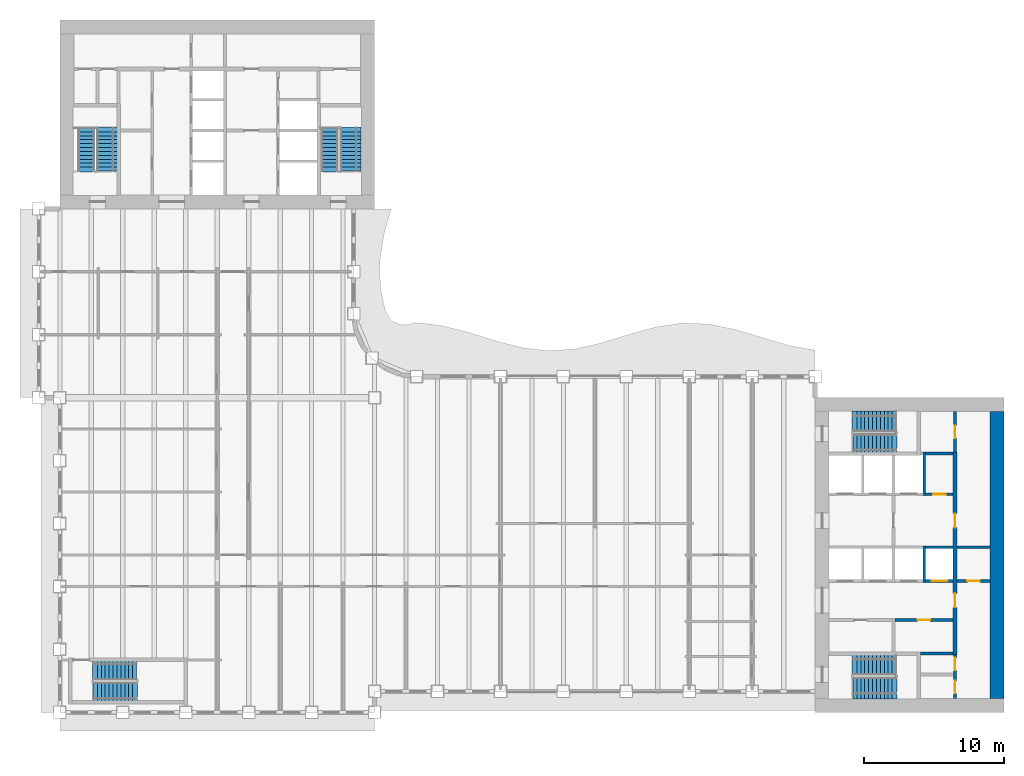
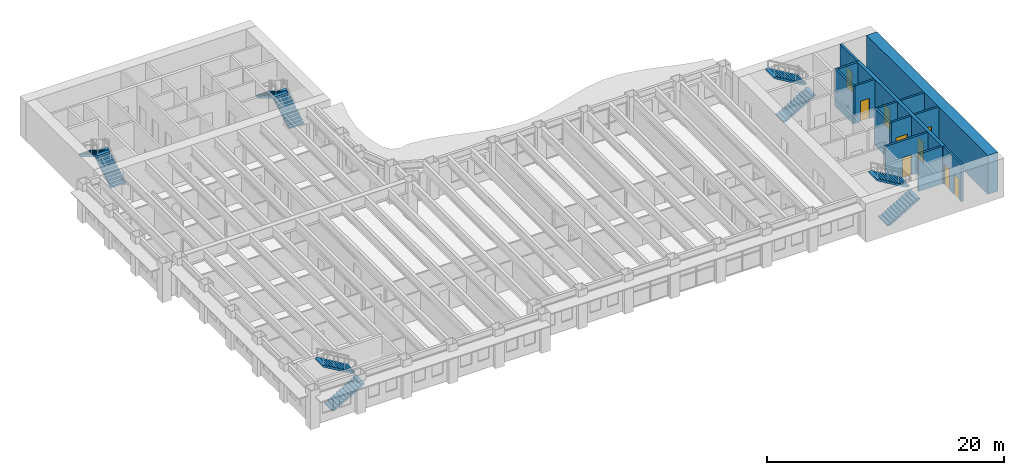
# One storey, part 11 of 17: 14 walls, 10 stair flights, 9 doors, 9 openings, 5 elements without a shape of their own.
"""IFC4 building model written with IfcOpenShell, lengths in metres."""

from ifc_helpers import new_model, si_unit, direction, frame, frame_2d, origin, place, context, subcontext, project, spatial, polyline, rectangle, outline, extrude, material, layer, layer_set, type_object, element, fill, aggregate, save


model = new_model("IFC4")

# Units and contexts
model_context = context("Model", 3, precision=1e-05, world=origin(), true_north=direction((0.0, 1.0)))
body_context = subcontext(model_context, "Body", "Model", "MODEL_VIEW")
ifc_project = project(units=[si_unit("LENGTHUNIT", "METRE"), si_unit("AREAUNIT", "SQUARE_METRE"), si_unit("VOLUMEUNIT", "CUBIC_METRE"), si_unit("PLANEANGLEUNIT", "RADIAN"), si_unit("MASSUNIT", "GRAM", prefix="KILO")], contexts=[model_context])

# Site, building, storey
site_placement = place(None, origin())
site = spatial("IfcSite", under=ifc_project, at=site_placement, CompositionType="ELEMENT")
building_placement = place(site_placement, origin())
building = spatial("IfcBuilding", under=site, at=building_placement, Name="Sennacour Bend Tower", CompositionType="ELEMENT")
storey_placement = place(building_placement, frame((0.0, 0.0, 151.0)))
storey = spatial("IfcBuildingStorey", under=building, at=storey_placement, Name="L34", CompositionType="ELEMENT", Elevation=151.0)

# Wall
ifc_material_1 = material(Name="Concrete C60/75", Category="concrete")
ifc_layer_1 = layer(ifc_material_1, 1.0, Name="Concrete C60/75", Category="concrete")
ifc_layer_set_1 = layer_set([ifc_layer_1], Name="Concrete C60/75")
wall_type_1 = type_object("IfcWallType", Name="Core wall 1000 C60/75", PredefinedType="SHEAR", material=ifc_layer_set_1)
wall_1_placement = place(storey_placement, frame((67.0, 1.0, -0.14990234375), z_axis=(0.0, 0.0, 1.0), x_axis=(0.0, 1.0, 0.0)))
element("IfcWall", 1, at=wall_1_placement, inside=storey, type_object=wall_type_1, Name="Core A wall L34 E", PredefinedType="SHEAR", context=body_context, shape_type="SweptSolid", body=[
    extrude(rectangle(XDim=20.5, YDim=1.0, at=frame_2d((10.25, 0.0))), origin(), (0.0, 0.0, 1.0), 4.0),
])

# Wall, openings, doors
ifc_material_2 = material(Name="Fire-rated plasterboard partition on steel studs", Category="steel")
ifc_layer_2 = layer(ifc_material_2, 0.199951171875, Name="Fire-rated plasterboard partition on steel studs", Category="steel")
ifc_layer_set_2 = layer_set([ifc_layer_2], Name="Fire-rated plasterboard partition on steel studs")
wall_type_2 = type_object("IfcWallType", Name="Rated partition 200", PredefinedType="PARTITIONING", material=ifc_layer_set_2)
wall_2_placement = place(storey_placement, frame((64.0, 1.0, 0.0), z_axis=(0.0, 0.0, 1.0), x_axis=(0.0, 1.0, 0.0)))
wall_2 = element("IfcWall", 2, at=wall_2_placement, inside=storey, type_object=wall_type_2, Name="P-L34-W042", PredefinedType="PARTITIONING", context=body_context, shape_type="SweptSolid", body=[
    extrude(rectangle(XDim=3.10009765625, YDim=0.199951171875, at=frame_2d((1.550048828125, 0.0))), origin(), (0.0, 0.0, 1.0), 3.85009765625),
])
opening_1_placement = place(wall_2_placement, frame((0.35009765625, 0.0, 0.0)))
opening_1 = element("IfcOpeningElement", 3, at=opening_1_placement, cuts=wall_2, Name="Opening SV", PredefinedType="OPENING", context=body_context, shape_type="SweptSolid", body=[
    extrude(rectangle(XDim=0.89990234375, YDim=2.10009765625, at=frame_2d((0.449951171875, 1.050048828125))), frame((0.0, 0.10986328125, 0.0), z_axis=(0.0, -1.0, 0.0), x_axis=(1.0, 0.0, 0.0)), (0.0, 0.0, 1.0), 0.219970703125),
])
opening_2_placement = place(wall_2_placement, frame((2.0, 0.0, 0.0)))
opening_2 = element("IfcOpeningElement", 4, at=opening_2_placement, cuts=wall_2, Name="Opening SV", PredefinedType="OPENING", context=body_context, shape_type="SweptSolid", body=[
    extrude(rectangle(XDim=0.89990234375, YDim=2.10009765625, at=frame_2d((0.449951171875, 1.050048828125))), frame((0.0, 0.10986328125, 0.0), z_axis=(0.0, -1.0, 0.0), x_axis=(1.0, 0.0, 0.0)), (0.0, 0.0, 1.0), 0.219970703125),
])
ifc_material_3 = material(Name="Painted steel", Category="steel")
door_type_1 = type_object("IfcDoorType", Name="DR-SERVICE-900", OperationType="NOTDEFINED", PredefinedType="DOOR", material=ifc_material_3)
door_1_placement = place(opening_1_placement, origin())
door_1 = element("IfcDoor", 5, at=door_1_placement, inside=storey, type_object=door_type_1, Name="Door", OperationType="SINGLE_SWING_LEFT", OverallHeight=2.10009765625, OverallWidth=0.89990234375, PredefinedType="DOOR", context=body_context, shape_type="SweptSolid", body=[
    extrude(rectangle(XDim=0.89990234375, YDim=2.10009765625, at=frame_2d((0.449951171875, 1.050048828125))), frame((0.0, 0.02490234375, 0.0), z_axis=(0.0, -1.0, 0.0), x_axis=(1.0, 0.0, 0.0)), (0.0, 0.0, 1.0), 0.050048828125),
])
fill(opening_1, door_1)
door_2_placement = place(opening_2_placement, origin())
door_2 = element("IfcDoor", 6, at=door_2_placement, inside=storey, type_object=door_type_1, Name="Door", OperationType="SINGLE_SWING_RIGHT", OverallHeight=2.10009765625, OverallWidth=0.89990234375, PredefinedType="DOOR", context=body_context, shape_type="SweptSolid", body=[
    extrude(rectangle(XDim=0.89990234375, YDim=2.10009765625, at=frame_2d((0.449951171875, 1.050048828125))), frame((0.0, 0.02490234375, 0.0), z_axis=(0.0, -1.0, 0.0), x_axis=(1.0, 0.0, 0.0)), (0.0, 0.0, 1.0), 0.050048828125),
])
fill(opening_2, door_2)

# Wall, opening, door
wall_3_placement = place(storey_placement, frame((64.0, 18.60009765625, 0.0), z_axis=(0.0, 0.0, 1.0), x_axis=(0.0, 1.0, 0.0)))
wall_3 = element("IfcWall", 7, at=wall_3_placement, inside=storey, type_object=wall_type_2, Name="P-L34-W044", PredefinedType="PARTITIONING", context=body_context, shape_type="SweptSolid", body=[
    extrude(rectangle(XDim=2.89990234375, YDim=0.199951171875, at=frame_2d((1.449951171875, 0.0))), origin(), (0.0, 0.0, 1.0), 3.85009765625),
])
opening_3_placement = place(wall_3_placement, frame((1.0, 0.0, 0.0)))
opening_3 = element("IfcOpeningElement", 8, at=opening_3_placement, cuts=wall_3, Name="Opening WD", PredefinedType="OPENING", context=body_context, shape_type="SweptSolid", body=[
    extrude(rectangle(XDim=0.89990234375, YDim=2.10009765625, at=frame_2d((0.449951171875, 1.050048828125))), frame((0.0, 0.10986328125, 0.0), z_axis=(0.0, -1.0, 0.0), x_axis=(1.0, 0.0, 0.0)), (0.0, 0.0, 1.0), 0.219970703125),
])
ifc_material_4 = material(Name="Timber", Category="wood")
door_type_2 = type_object("IfcDoorType", Name="DR-WC-900", OperationType="NOTDEFINED", PredefinedType="DOOR", material=ifc_material_4)
door_3_placement = place(opening_3_placement, origin())
door_3 = element("IfcDoor", 9, at=door_3_placement, inside=storey, type_object=door_type_2, Name="Door", OperationType="SINGLE_SWING_LEFT", OverallHeight=2.10009765625, OverallWidth=0.89990234375, PredefinedType="DOOR", context=body_context, shape_type="SweptSolid", body=[
    extrude(rectangle(XDim=0.89990234375, YDim=2.10009765625, at=frame_2d((0.449951171875, 1.050048828125))), frame((0.0, 0.02490234375, 0.0), z_axis=(0.0, -1.0, 0.0), x_axis=(1.0, 0.0, 0.0)), (0.0, 0.0, 1.0), 0.050048828125),
])
fill(opening_3, door_3)

# Wall
wall_4_placement = place(storey_placement, frame((61.52490234375, 4.199951171875, 0.0), z_axis=(0.0, 0.0, 1.0), x_axis=(1.0, 0.0, 0.0)))
element("IfcWall", 10, at=wall_4_placement, inside=storey, type_object=wall_type_2, Name="P-L34-W054", PredefinedType="PARTITIONING", context=body_context, shape_type="SweptSolid", body=[
    extrude(rectangle(XDim=2.3251953125, YDim=0.199951171875, at=frame_2d((1.16259765625, 0.0))), origin(), (0.0, 0.0, 1.0), 3.85009765625),
])

# Wall, opening, door
wall_5_placement = place(storey_placement, frame((59.699951171875, 6.60009765625, 0.0), z_axis=(0.0, 0.0, 1.0), x_axis=(1.0, 0.0, 0.0)))
wall_5 = element("IfcWall", 11, at=wall_5_placement, inside=storey, type_object=wall_type_2, Name="P-L34-W056b", PredefinedType="PARTITIONING", context=body_context, shape_type="SweptSolid", body=[
    extrude(rectangle(XDim=4.150146484375, YDim=0.199951171875, at=frame_2d((2.0751953125, 0.0))), origin(), (0.0, 0.0, 1.0), 3.85009765625),
])
opening_4_placement = place(wall_5_placement, frame((1.625, 0.0, 0.0)))
opening_4 = element("IfcOpeningElement", 12, at=opening_4_placement, cuts=wall_5, Name="Opening SV", PredefinedType="OPENING", context=body_context, shape_type="SweptSolid", body=[
    extrude(rectangle(XDim=0.89990234375, YDim=2.10009765625, at=frame_2d((0.449951171875, 1.050048828125))), frame((0.0, 0.10986328125, 0.0), z_axis=(0.0, -1.0, 0.0), x_axis=(1.0, 0.0, 0.0)), (0.0, 0.0, 1.0), 0.219970703125),
])
door_4_placement = place(opening_4_placement, origin())
door_4 = element("IfcDoor", 13, at=door_4_placement, inside=storey, type_object=door_type_1, Name="Door", OperationType="SINGLE_SWING_LEFT", OverallHeight=2.10009765625, OverallWidth=0.89990234375, PredefinedType="DOOR", context=body_context, shape_type="SweptSolid", body=[
    extrude(rectangle(XDim=0.89990234375, YDim=2.10009765625, at=frame_2d((0.449951171875, 1.050048828125))), frame((0.0, 0.02490234375, 0.0), z_axis=(0.0, -1.0, 0.0), x_axis=(1.0, 0.0, 0.0)), (0.0, 0.0, 1.0), 0.050048828125),
])
fill(opening_4, door_4)

wall_6_placement = place(storey_placement, frame((64.14990234375, 9.39990234375, 0.0), z_axis=(0.0, 0.0, 1.0), x_axis=(1.0, 0.0, 0.0)))
wall_6 = element("IfcWall", 14, at=wall_6_placement, inside=storey, type_object=wall_type_2, Name="P-L34-W059", PredefinedType="PARTITIONING", context=body_context, shape_type="SweptSolid", body=[
    extrude(rectangle(XDim=2.35009765625, YDim=0.199951171875, at=frame_2d((1.175048828125, 0.0))), origin(), (0.0, 0.0, 1.0), 3.85009765625),
])
opening_5_placement = place(wall_6_placement, frame((0.72509765625, 0.0, 0.0)))
opening_5 = element("IfcOpeningElement", 15, at=opening_5_placement, cuts=wall_6, Name="Opening SV", PredefinedType="OPENING", context=body_context, shape_type="SweptSolid", body=[
    extrude(rectangle(XDim=0.89990234375, YDim=2.10009765625, at=frame_2d((0.449951171875, 1.050048828125))), frame((0.0, 0.10986328125, 0.0), z_axis=(0.0, -1.0, 0.0), x_axis=(1.0, 0.0, 0.0)), (0.0, 0.0, 1.0), 0.219970703125),
])
door_5_placement = place(opening_5_placement, origin())
door_5 = element("IfcDoor", 16, at=door_5_placement, inside=storey, type_object=door_type_1, Name="Door", OperationType="SINGLE_SWING_LEFT", OverallHeight=2.10009765625, OverallWidth=0.89990234375, PredefinedType="DOOR", context=body_context, shape_type="SweptSolid", body=[
    extrude(rectangle(XDim=0.89990234375, YDim=2.10009765625, at=frame_2d((0.449951171875, 1.050048828125))), frame((0.0, 0.02490234375, 0.0), z_axis=(0.0, -1.0, 0.0), x_axis=(1.0, 0.0, 0.0)), (0.0, 0.0, 1.0), 0.050048828125),
])
fill(opening_5, door_5)

# Wall
wall_7_placement = place(storey_placement, frame((64.14990234375, 11.800048828125, 0.0), z_axis=(0.0, 0.0, 1.0), x_axis=(1.0, 0.0, 0.0)))
element("IfcWall", 17, at=wall_7_placement, inside=storey, type_object=wall_type_2, Name="P-L34-W063", PredefinedType="PARTITIONING", context=body_context, shape_type="SweptSolid", body=[
    extrude(rectangle(XDim=2.35009765625, YDim=0.199951171875, at=frame_2d((1.175048828125, 0.0))), origin(), (0.0, 0.0, 1.0), 3.85009765625),
])

# Wall, opening, door
wall_8_placement = place(storey_placement, frame((61.89990234375, 15.60009765625, 0.0), z_axis=(0.0, 0.0, 1.0), x_axis=(1.0, 0.0, 0.0)))
wall_8 = element("IfcWall", 18, at=wall_8_placement, inside=storey, type_object=wall_type_2, Name="P-L34-W066", PredefinedType="PARTITIONING", context=body_context, shape_type="SweptSolid", body=[
    extrude(rectangle(XDim=1.9501953125, YDim=0.199951171875, at=frame_2d((0.97509765625, 0.0))), origin(), (0.0, 0.0, 1.0), 3.85009765625),
])
opening_6_placement = place(wall_8_placement, frame((0.525146484375, 0.0, 0.0)))
opening_6 = element("IfcOpeningElement", 19, at=opening_6_placement, cuts=wall_8, Name="Opening SV", PredefinedType="OPENING", context=body_context, shape_type="SweptSolid", body=[
    extrude(rectangle(XDim=0.89990234375, YDim=2.10009765625, at=frame_2d((0.449951171875, 1.050048828125))), frame((0.0, 0.10986328125, 0.0), z_axis=(0.0, -1.0, 0.0), x_axis=(1.0, 0.0, 0.0)), (0.0, 0.0, 1.0), 0.219970703125),
])
door_6_placement = place(opening_6_placement, origin())
door_6 = element("IfcDoor", 20, at=door_6_placement, inside=storey, type_object=door_type_1, Name="Door", OperationType="SINGLE_SWING_LEFT", OverallHeight=2.10009765625, OverallWidth=0.89990234375, PredefinedType="DOOR", context=body_context, shape_type="SweptSolid", body=[
    extrude(rectangle(XDim=0.89990234375, YDim=2.10009765625, at=frame_2d((0.449951171875, 1.050048828125))), frame((0.0, 0.02490234375, 0.0), z_axis=(0.0, -1.0, 0.0), x_axis=(1.0, 0.0, 0.0)), (0.0, 0.0, 1.0), 0.050048828125),
])
fill(opening_6, door_6)

# Walls
wall_9_placement = place(storey_placement, frame((61.89990234375, 18.5, 0.0), z_axis=(0.0, 0.0, 1.0), x_axis=(1.0, 0.0, 0.0)))
element("IfcWall", 21, at=wall_9_placement, inside=storey, type_object=wall_type_2, Name="P-L34-W070", PredefinedType="PARTITIONING", context=body_context, shape_type="SweptSolid", body=[
    extrude(rectangle(XDim=1.9501953125, YDim=0.199951171875, at=frame_2d((0.97509765625, 0.0))), origin(), (0.0, 0.0, 1.0), 3.85009765625),
])
ifc_material_5 = material(Name="Concrete C50/60", Category="concrete")
ifc_layer_3 = layer(ifc_material_5, 0.199951171875, Name="Concrete C50/60", Category="concrete")
ifc_layer_set_3 = layer_set([ifc_layer_3], Name="Concrete C50/60")
wall_type_3 = type_object("IfcWallType", Name="Shaft wall 200", PredefinedType="SOLIDWALL", material=ifc_layer_set_3)
wall_10_placement = place(storey_placement, frame((61.800048828125, 9.300048828125, 0.0), z_axis=(0.0, 0.0, 1.0), x_axis=(0.0, 1.0, 0.0)))
element("IfcWall", 22, at=wall_10_placement, inside=storey, type_object=wall_type_3, Name="P-L34-W040", PredefinedType="SOLIDWALL", context=body_context, shape_type="SweptSolid", body=[
    extrude(rectangle(XDim=2.599853515625, YDim=0.199951171875, at=frame_2d((1.2998046875, 0.0))), origin(), (0.0, 0.0, 1.0), 3.85009765625),
])
wall_11_placement = place(storey_placement, frame((61.800048828125, 15.5, 0.0), z_axis=(0.0, 0.0, 1.0), x_axis=(0.0, 1.0, 0.0)))
element("IfcWall", 23, at=wall_11_placement, inside=storey, type_object=wall_type_3, Name="P-L34-W041", PredefinedType="SOLIDWALL", context=body_context, shape_type="SweptSolid", body=[
    extrude(rectangle(XDim=3.10009765625, YDim=0.199951171875, at=frame_2d((1.550048828125, 0.0))), origin(), (0.0, 0.0, 1.0), 3.85009765625),
])

# Wall, opening, door
wall_12_placement = place(storey_placement, frame((61.89990234375, 9.39990234375, 0.0), z_axis=(0.0, 0.0, 1.0), x_axis=(1.0, 0.0, 0.0)))
wall_12 = element("IfcWall", 24, at=wall_12_placement, inside=storey, type_object=wall_type_3, Name="P-L34-W058d", PredefinedType="SOLIDWALL", context=body_context, shape_type="SweptSolid", body=[
    extrude(rectangle(XDim=1.9501953125, YDim=0.199951171875, at=frame_2d((0.97509765625, 0.0))), origin(), (0.0, 0.0, 1.0), 3.85009765625),
])
opening_7_placement = place(wall_12_placement, frame((0.425048828125, 0.0, 0.011962890625)))
opening_7 = element("IfcOpeningElement", 25, at=opening_7_placement, cuts=wall_12, Name="Opening LD", PredefinedType="OPENING", context=body_context, shape_type="SweptSolid", body=[
    extrude(rectangle(XDim=1.10009765625, YDim=2.10009765625, at=frame_2d((0.550048828125, 1.050048828125))), frame((0.0, 0.10986328125, 0.0), z_axis=(0.0, -1.0, 0.0), x_axis=(1.0, 0.0, 0.0)), (0.0, 0.0, 1.0), 0.219970703125),
])
ifc_material_6 = material(Name="Stainless steel", Category="steel")
door_type_3 = type_object("IfcDoorType", Name="DR-LANDING-1100", OperationType="NOTDEFINED", PredefinedType="DOOR", material=ifc_material_6)
door_7_placement = place(opening_7_placement, origin())
door_7 = element("IfcDoor", 26, at=door_7_placement, inside=storey, type_object=door_type_3, Name="Lift landing door HA4", OperationType="SLIDING_TO_RIGHT", OverallHeight=2.10009765625, OverallWidth=1.10009765625, PredefinedType="DOOR", context=body_context, shape_type="SweptSolid", body=[
    extrude(rectangle(XDim=1.10009765625, YDim=2.10009765625, at=frame_2d((0.550048828125, 1.050048828125))), frame((0.0, 0.02490234375, 0.0), z_axis=(0.0, -1.0, 0.0), x_axis=(1.0, 0.0, 0.0)), (0.0, 0.0, 1.0), 0.050048828125),
])
fill(opening_7, door_7)

# Wall
wall_13_placement = place(storey_placement, frame((61.89990234375, 11.800048828125, 0.0), z_axis=(0.0, 0.0, 1.0), x_axis=(1.0, 0.0, 0.0)))
element("IfcWall", 27, at=wall_13_placement, inside=storey, type_object=wall_type_3, Name="P-L34-W062d", PredefinedType="SOLIDWALL", context=body_context, shape_type="SweptSolid", body=[
    extrude(rectangle(XDim=1.9501953125, YDim=0.199951171875, at=frame_2d((0.97509765625, 0.0))), origin(), (0.0, 0.0, 1.0), 3.85009765625),
])

# Wall, openings, doors
ifc_layer_4 = layer(ifc_material_1, 0.300048828125, Name="Concrete C60/75", Category="concrete")
ifc_layer_set_4 = layer_set([ifc_layer_4], Name="Concrete C60/75")
wall_type_4 = type_object("IfcWallType", Name="Spine wall 300", PredefinedType="SHEAR", material=ifc_layer_set_4)
wall_14_placement = place(storey_placement, frame((64.0, 4.10009765625, 0.0), z_axis=(0.0, 0.0, 1.0), x_axis=(0.0, 1.0, 0.0)))
wall_14 = element("IfcWall", 28, at=wall_14_placement, inside=storey, type_object=wall_type_4, Name="P-L34-W043", PredefinedType="SHEAR", context=body_context, shape_type="SweptSolid", body=[
    extrude(rectangle(XDim=14.5, YDim=0.300048828125, at=frame_2d((7.25, 0.0))), origin(), (0.0, 0.0, 1.0), 3.85009765625),
])
opening_8_placement = place(wall_14_placement, frame((3.39990234375, 0.0, 0.0)))
opening_8 = element("IfcOpeningElement", 29, at=opening_8_placement, cuts=wall_14, Name="Opening CD2", PredefinedType="OPENING", context=body_context, shape_type="SweptSolid", body=[
    extrude(rectangle(XDim=1.0, YDim=2.10009765625, at=frame_2d((0.5, 1.050048828125))), frame((0.0, 0.16015625, 0.0), z_axis=(0.0, -1.0, 0.0), x_axis=(1.0, 0.0, 0.0)), (0.0, 0.0, 1.0), 0.320068359375),
])
opening_9_placement = place(wall_14_placement, frame((9.099853515625, 0.0, 0.0)))
opening_9 = element("IfcOpeningElement", 30, at=opening_9_placement, cuts=wall_14, Name="Opening CD2", PredefinedType="OPENING", context=body_context, shape_type="SweptSolid", body=[
    extrude(rectangle(XDim=1.0, YDim=2.10009765625, at=frame_2d((0.5, 1.050048828125))), frame((0.0, 0.16015625, 0.0), z_axis=(0.0, -1.0, 0.0), x_axis=(1.0, 0.0, 0.0)), (0.0, 0.0, 1.0), 0.320068359375),
])
door_type_4 = type_object("IfcDoorType", Name="DR-LOBBY-1000", OperationType="NOTDEFINED", PredefinedType="DOOR", material=ifc_material_3)
door_8_placement = place(opening_8_placement, origin())
door_8 = element("IfcDoor", 31, at=door_8_placement, inside=storey, type_object=door_type_4, Name="Door", OperationType="SINGLE_SWING_LEFT", OverallHeight=2.10009765625, OverallWidth=1.0, PredefinedType="DOOR", context=body_context, shape_type="SweptSolid", body=[
    extrude(rectangle(XDim=1.0, YDim=2.10009765625, at=frame_2d((0.5, 1.050048828125))), frame((0.0, 0.02490234375, 0.0), z_axis=(0.0, -1.0, 0.0), x_axis=(1.0, 0.0, 0.0)), (0.0, 0.0, 1.0), 0.050048828125),
])
fill(opening_8, door_8)
door_9_placement = place(opening_9_placement, origin())
door_9 = element("IfcDoor", 32, at=door_9_placement, inside=storey, type_object=door_type_4, Name="Door", OperationType="SINGLE_SWING_RIGHT", OverallHeight=2.10009765625, OverallWidth=1.0, PredefinedType="DOOR", context=body_context, shape_type="SweptSolid", body=[
    extrude(rectangle(XDim=1.0, YDim=2.10009765625, at=frame_2d((0.5, 1.050048828125))), frame((0.0, 0.02490234375, 0.0), z_axis=(0.0, -1.0, 0.0), x_axis=(1.0, 0.0, 0.0)), (0.0, 0.0, 1.0), 0.050048828125),
])
fill(opening_9, door_9)

# Stair, stair flights
ifc_material_7 = material(Name="Concrete C40/50", Category="concrete")
stair_type = type_object("IfcStairType", Name="ST-DOGLEG", PredefinedType="HALF_TURN_STAIR", material=ifc_material_7)
stair_1_placement = place(storey_placement, origin())
stair_1 = element("IfcStair", 33, at=stair_1_placement, inside=storey, type_object=stair_type, Name="L34 Exit stair A1", PredefinedType="HALF_TURN_STAIR")
stair_flight_type = type_object("IfcStairFlightType", Name="SFL-RC", PredefinedType="STRAIGHT", material=ifc_material_7)
stair_flight_1_placement = place(storey_placement, frame((56.699951171875, 1.735107421875, 0.0), z_axis=(0.0, 0.0, 1.0), x_axis=(1.0, 0.0, 0.0)))
stair_flight_1 = element("IfcStairFlight", 34, at=stair_flight_1_placement, type_object=stair_flight_type, Name="SA1 flight 1", NumberOfRisers=12, NumberOfTreads=11, PredefinedType="STRAIGHT", RiserHeight=0.166666667, TreadLength=0.28, context=body_context, shape_type="SweptSolid", body=[
    extrude(outline(polyline([(0.0, 0.0), (0.0, 0.166748046875), (0.280029296875, 0.166748046875), (0.280029296875, 0.333251953125), (0.56005859375, 0.333251953125), (0.56005859375, 0.5), (0.840087890625, 0.5), (0.840087890625, 0.666748046875), (1.1201171875, 0.666748046875), (1.1201171875, 0.833251953125), (1.39990234375, 0.833251953125), (1.39990234375, 1.0), (1.679931640625, 1.0), (1.679931640625, 1.166748046875), (1.9599609375, 1.166748046875), (1.9599609375, 1.333251953125), (2.239990234375, 1.333251953125), (2.239990234375, 1.5), (2.52001953125, 1.5), (2.52001953125, 1.666748046875), (2.800048828125, 1.666748046875), (2.800048828125, 1.833251953125), (3.080078125, 1.833251953125), (3.139892578125, 1.833251953125), (3.139892578125, 1.658935546875), (3.080078125, 1.658935546875), (0.29296875, 0.0), (0.0, 0.0)])), frame((0.0, 0.76513671875, 0.0), z_axis=(0.0, -1.0, 0.0), x_axis=(1.0, 0.0, 0.0)), (0.0, 0.0, 1.0), 1.530029296875),
])
stair_flight_2_placement = place(storey_placement, frame((59.780029296875, 3.37744140625, 2.0), z_axis=(0.0, 0.0, 1.0), x_axis=(-1.0, 0.0, 0.0)))
stair_flight_2 = element("IfcStairFlight", 35, at=stair_flight_2_placement, type_object=stair_flight_type, Name="SA1 flight 2", NumberOfRisers=12, NumberOfTreads=11, PredefinedType="STRAIGHT", RiserHeight=0.166666667, TreadLength=0.28, context=body_context, shape_type="SweptSolid", body=[
    extrude(outline(polyline([(0.0, 0.0), (0.0, 0.166748046875), (0.280029296875, 0.166748046875), (0.280029296875, 0.333251953125), (0.56005859375, 0.333251953125), (0.56005859375, 0.5), (0.840087890625, 0.5), (0.840087890625, 0.666748046875), (1.1201171875, 0.666748046875), (1.1201171875, 0.833251953125), (1.39990234375, 0.833251953125), (1.39990234375, 1.0), (1.679931640625, 1.0), (1.679931640625, 1.166748046875), (1.9599609375, 1.166748046875), (1.9599609375, 1.333251953125), (2.239990234375, 1.333251953125), (2.239990234375, 1.5), (2.52001953125, 1.5), (2.52001953125, 1.666748046875), (2.800048828125, 1.666748046875), (2.800048828125, 1.833251953125), (3.080078125, 1.833251953125), (3.139892578125, 1.833251953125), (3.139892578125, 1.658935546875), (3.080078125, 1.658935546875), (0.29296875, 0.0), (0.0, 0.0)])), frame((0.0, 0.7275390625, 0.0), z_axis=(0.0, -1.0, 0.0), x_axis=(1.0, 0.0, 0.0)), (0.0, 0.0, 1.0), 1.455078125),
])
aggregate(stair_1, [stair_flight_1, stair_flight_2])

stair_2_placement = place(storey_placement, origin())
stair_2 = element("IfcStair", 36, at=stair_2_placement, inside=storey, type_object=stair_type, Name="L34 Exit stair A2", PredefinedType="HALF_TURN_STAIR")
stair_flight_3_placement = place(storey_placement, frame((56.699951171875, 19.24755859375, 0.0), z_axis=(0.0, 0.0, 1.0), x_axis=(1.0, 0.0, 0.0)))
stair_flight_3 = element("IfcStairFlight", 37, at=stair_flight_3_placement, type_object=stair_flight_type, Name="SA2 flight 1", NumberOfRisers=12, NumberOfTreads=11, PredefinedType="STRAIGHT", RiserHeight=0.166666667, TreadLength=0.28, context=body_context, shape_type="SweptSolid", body=[
    extrude(outline(polyline([(0.0, 0.0), (0.0, 0.166748046875), (0.280029296875, 0.166748046875), (0.280029296875, 0.333251953125), (0.56005859375, 0.333251953125), (0.56005859375, 0.5), (0.840087890625, 0.5), (0.840087890625, 0.666748046875), (1.1201171875, 0.666748046875), (1.1201171875, 0.833251953125), (1.39990234375, 0.833251953125), (1.39990234375, 1.0), (1.679931640625, 1.0), (1.679931640625, 1.166748046875), (1.9599609375, 1.166748046875), (1.9599609375, 1.333251953125), (2.239990234375, 1.333251953125), (2.239990234375, 1.5), (2.52001953125, 1.5), (2.52001953125, 1.666748046875), (2.800048828125, 1.666748046875), (2.800048828125, 1.833251953125), (3.080078125, 1.833251953125), (3.139892578125, 1.833251953125), (3.139892578125, 1.658935546875), (3.080078125, 1.658935546875), (0.29296875, 0.0), (0.0, 0.0)])), frame((0.0, 0.65234375, 0.0), z_axis=(0.0, -1.0, 0.0), x_axis=(1.0, 0.0, 0.0)), (0.0, 0.0, 1.0), 1.304931640625),
])
stair_flight_4_placement = place(storey_placement, frame((59.780029296875, 20.7900390625, 2.0), z_axis=(0.0, 0.0, 1.0), x_axis=(-1.0, 0.0, 0.0)))
stair_flight_4 = element("IfcStairFlight", 38, at=stair_flight_4_placement, type_object=stair_flight_type, Name="SA2 flight 2", NumberOfRisers=12, NumberOfTreads=11, PredefinedType="STRAIGHT", RiserHeight=0.166666667, TreadLength=0.28, context=body_context, shape_type="SweptSolid", body=[
    extrude(outline(polyline([(0.0, 0.0), (0.0, 0.166748046875), (0.280029296875, 0.166748046875), (0.280029296875, 0.333251953125), (0.56005859375, 0.333251953125), (0.56005859375, 0.5), (0.840087890625, 0.5), (0.840087890625, 0.666748046875), (1.1201171875, 0.666748046875), (1.1201171875, 0.833251953125), (1.39990234375, 0.833251953125), (1.39990234375, 1.0), (1.679931640625, 1.0), (1.679931640625, 1.166748046875), (1.9599609375, 1.166748046875), (1.9599609375, 1.333251953125), (2.239990234375, 1.333251953125), (2.239990234375, 1.5), (2.52001953125, 1.5), (2.52001953125, 1.666748046875), (2.800048828125, 1.666748046875), (2.800048828125, 1.833251953125), (3.080078125, 1.833251953125), (3.139892578125, 1.833251953125), (3.139892578125, 1.658935546875), (3.080078125, 1.658935546875), (0.29296875, 0.0), (0.0, 0.0)])), frame((0.0, 0.739990234375, 0.0), z_axis=(0.0, -1.0, 0.0), x_axis=(1.0, 0.0, 0.0)), (0.0, 0.0, 1.0), 1.47998046875),
])
aggregate(stair_2, [stair_flight_3, stair_flight_4])

stair_3_placement = place(storey_placement, origin())
stair_3 = element("IfcStair", 39, at=stair_3_placement, inside=storey, type_object=stair_type, Name="L34 Exit stair B1", PredefinedType="HALF_TURN_STAIR")
stair_flight_5_placement = place(storey_placement, frame((3.37744140625, 38.699951171875, 0.0), z_axis=(0.0, 0.0, 1.0), x_axis=(0.0, 1.0, 0.0)))
stair_flight_5 = element("IfcStairFlight", 40, at=stair_flight_5_placement, type_object=stair_flight_type, Name="SB1 flight 1", NumberOfRisers=12, NumberOfTreads=11, PredefinedType="STRAIGHT", RiserHeight=0.166666667, TreadLength=0.28, context=body_context, shape_type="SweptSolid", body=[
    extrude(outline(polyline([(0.0, 0.0), (0.0, 0.166748046875), (0.280029296875, 0.166748046875), (0.280029296875, 0.333251953125), (0.56005859375, 0.333251953125), (0.56005859375, 0.5), (0.840087890625, 0.5), (0.840087890625, 0.666748046875), (1.1201171875, 0.666748046875), (1.1201171875, 0.833251953125), (1.39990234375, 0.833251953125), (1.39990234375, 1.0), (1.679931640625, 1.0), (1.679931640625, 1.166748046875), (1.9599609375, 1.166748046875), (1.9599609375, 1.333251953125), (2.239990234375, 1.333251953125), (2.239990234375, 1.5), (2.52001953125, 1.5), (2.52001953125, 1.666748046875), (2.800048828125, 1.666748046875), (2.800048828125, 1.833251953125), (3.080078125, 1.833251953125), (3.139892578125, 1.833251953125), (3.139892578125, 1.658935546875), (3.080078125, 1.658935546875), (0.29296875, 0.0), (0.0, 0.0)])), frame((0.0, 0.7275390625, 0.0), z_axis=(0.0, -1.0, 0.0), x_axis=(1.0, 0.0, 0.0)), (0.0, 0.0, 1.0), 1.455078125),
])
stair_flight_6_placement = place(storey_placement, frame((1.89990234375, 41.780029296875, 2.0), z_axis=(0.0, 0.0, 1.0), x_axis=(0.0, -1.0, 0.0)))
stair_flight_6 = element("IfcStairFlight", 41, at=stair_flight_6_placement, type_object=stair_flight_type, Name="SB1 flight 2", NumberOfRisers=12, NumberOfTreads=11, PredefinedType="STRAIGHT", RiserHeight=0.166666667, TreadLength=0.28, context=body_context, shape_type="SweptSolid", body=[
    extrude(outline(polyline([(0.0, 0.0), (0.0, 0.166748046875), (0.280029296875, 0.166748046875), (0.280029296875, 0.333251953125), (0.56005859375, 0.333251953125), (0.56005859375, 0.5), (0.840087890625, 0.5), (0.840087890625, 0.666748046875), (1.1201171875, 0.666748046875), (1.1201171875, 0.833251953125), (1.39990234375, 0.833251953125), (1.39990234375, 1.0), (1.679931640625, 1.0), (1.679931640625, 1.166748046875), (1.9599609375, 1.166748046875), (1.9599609375, 1.333251953125), (2.239990234375, 1.333251953125), (2.239990234375, 1.5), (2.52001953125, 1.5), (2.52001953125, 1.666748046875), (2.800048828125, 1.666748046875), (2.800048828125, 1.833251953125), (3.080078125, 1.833251953125), (3.139892578125, 1.833251953125), (3.139892578125, 1.658935546875), (3.080078125, 1.658935546875), (0.29296875, 0.0), (0.0, 0.0)])), frame((0.0, 0.60009765625, 0.0), z_axis=(0.0, -1.0, 0.0), x_axis=(1.0, 0.0, 0.0)), (0.0, 0.0, 1.0), 1.199951171875),
])
aggregate(stair_3, [stair_flight_5, stair_flight_6])

stair_4_placement = place(storey_placement, origin())
stair_4 = element("IfcStair", 42, at=stair_4_placement, inside=storey, type_object=stair_type, Name="L34 Exit stair B2", PredefinedType="HALF_TURN_STAIR")
stair_flight_7_placement = place(storey_placement, frame((20.7900390625, 38.699951171875, 0.0), z_axis=(0.0, 0.0, 1.0), x_axis=(0.0, 1.0, 0.0)))
stair_flight_7 = element("IfcStairFlight", 43, at=stair_flight_7_placement, type_object=stair_flight_type, Name="SB2 flight 1", NumberOfRisers=12, NumberOfTreads=11, PredefinedType="STRAIGHT", RiserHeight=0.166666667, TreadLength=0.28, context=body_context, shape_type="SweptSolid", body=[
    extrude(outline(polyline([(0.0, 0.0), (0.0, 0.166748046875), (0.280029296875, 0.166748046875), (0.280029296875, 0.333251953125), (0.56005859375, 0.333251953125), (0.56005859375, 0.5), (0.840087890625, 0.5), (0.840087890625, 0.666748046875), (1.1201171875, 0.666748046875), (1.1201171875, 0.833251953125), (1.39990234375, 0.833251953125), (1.39990234375, 1.0), (1.679931640625, 1.0), (1.679931640625, 1.166748046875), (1.9599609375, 1.166748046875), (1.9599609375, 1.333251953125), (2.239990234375, 1.333251953125), (2.239990234375, 1.5), (2.52001953125, 1.5), (2.52001953125, 1.666748046875), (2.800048828125, 1.666748046875), (2.800048828125, 1.833251953125), (3.080078125, 1.833251953125), (3.139892578125, 1.833251953125), (3.139892578125, 1.658935546875), (3.080078125, 1.658935546875), (0.29296875, 0.0), (0.0, 0.0)])), frame((0.0, 0.739990234375, 0.0), z_axis=(0.0, -1.0, 0.0), x_axis=(1.0, 0.0, 0.0)), (0.0, 0.0, 1.0), 1.47998046875),
])
stair_flight_8_placement = place(storey_placement, frame((19.24755859375, 41.780029296875, 2.0), z_axis=(0.0, 0.0, 1.0), x_axis=(0.0, -1.0, 0.0)))
stair_flight_8 = element("IfcStairFlight", 44, at=stair_flight_8_placement, type_object=stair_flight_type, Name="SB2 flight 2", NumberOfRisers=12, NumberOfTreads=11, PredefinedType="STRAIGHT", RiserHeight=0.166666667, TreadLength=0.28, context=body_context, shape_type="SweptSolid", body=[
    extrude(outline(polyline([(0.0, 0.0), (0.0, 0.166748046875), (0.280029296875, 0.166748046875), (0.280029296875, 0.333251953125), (0.56005859375, 0.333251953125), (0.56005859375, 0.5), (0.840087890625, 0.5), (0.840087890625, 0.666748046875), (1.1201171875, 0.666748046875), (1.1201171875, 0.833251953125), (1.39990234375, 0.833251953125), (1.39990234375, 1.0), (1.679931640625, 1.0), (1.679931640625, 1.166748046875), (1.9599609375, 1.166748046875), (1.9599609375, 1.333251953125), (2.239990234375, 1.333251953125), (2.239990234375, 1.5), (2.52001953125, 1.5), (2.52001953125, 1.666748046875), (2.800048828125, 1.666748046875), (2.800048828125, 1.833251953125), (3.080078125, 1.833251953125), (3.139892578125, 1.833251953125), (3.139892578125, 1.658935546875), (3.080078125, 1.658935546875), (0.29296875, 0.0), (0.0, 0.0)])), frame((0.0, 0.65234375, 0.0), z_axis=(0.0, -1.0, 0.0), x_axis=(1.0, 0.0, 0.0)), (0.0, 0.0, 1.0), 1.304931640625),
])
aggregate(stair_4, [stair_flight_7, stair_flight_8])

stair_5_placement = place(storey_placement, origin())
stair_5 = element("IfcStair", 45, at=stair_5_placement, inside=storey, type_object=stair_type, Name="L34 Exit stair K1", PredefinedType="HALF_TURN_STAIR")
stair_flight_9_placement = place(storey_placement, frame((2.39990234375, 1.485107421875, 0.0), z_axis=(0.0, 0.0, 1.0), x_axis=(1.0, 0.0, 0.0)))
stair_flight_9 = element("IfcStairFlight", 46, at=stair_flight_9_placement, type_object=stair_flight_type, Name="SK1 flight 1", NumberOfRisers=12, NumberOfTreads=11, PredefinedType="STRAIGHT", RiserHeight=0.166666667, TreadLength=0.28, context=body_context, shape_type="SweptSolid", body=[
    extrude(outline(polyline([(0.0, 0.0), (0.0, 0.166748046875), (0.280029296875, 0.166748046875), (0.280029296875, 0.333251953125), (0.56005859375, 0.333251953125), (0.56005859375, 0.5), (0.840087890625, 0.5), (0.840087890625, 0.666748046875), (1.1201171875, 0.666748046875), (1.1201171875, 0.833251953125), (1.39990234375, 0.833251953125), (1.39990234375, 1.0), (1.679931640625, 1.0), (1.679931640625, 1.166748046875), (1.9599609375, 1.166748046875), (1.9599609375, 1.333251953125), (2.239990234375, 1.333251953125), (2.239990234375, 1.5), (2.52001953125, 1.5), (2.52001953125, 1.666748046875), (2.800048828125, 1.666748046875), (2.800048828125, 1.833251953125), (3.080078125, 1.833251953125), (3.139892578125, 1.833251953125), (3.139892578125, 1.658935546875), (3.080078125, 1.658935546875), (0.29296875, 0.0), (0.0, 0.0)])), frame((0.0, 0.6650390625, 0.0), z_axis=(0.0, -1.0, 0.0), x_axis=(1.0, 0.0, 0.0)), (0.0, 0.0, 1.0), 1.330078125),
])
stair_flight_10_placement = place(storey_placement, frame((5.47998046875, 2.9775390625, 2.0), z_axis=(0.0, 0.0, 1.0), x_axis=(-1.0, 0.0, 0.0)))
stair_flight_10 = element("IfcStairFlight", 47, at=stair_flight_10_placement, type_object=stair_flight_type, Name="SK1 flight 2", NumberOfRisers=12, NumberOfTreads=11, PredefinedType="STRAIGHT", RiserHeight=0.166666667, TreadLength=0.28, context=body_context, shape_type="SweptSolid", body=[
    extrude(outline(polyline([(0.0, 0.0), (0.0, 0.166748046875), (0.280029296875, 0.166748046875), (0.280029296875, 0.333251953125), (0.56005859375, 0.333251953125), (0.56005859375, 0.5), (0.840087890625, 0.5), (0.840087890625, 0.666748046875), (1.1201171875, 0.666748046875), (1.1201171875, 0.833251953125), (1.39990234375, 0.833251953125), (1.39990234375, 1.0), (1.679931640625, 1.0), (1.679931640625, 1.166748046875), (1.9599609375, 1.166748046875), (1.9599609375, 1.333251953125), (2.239990234375, 1.333251953125), (2.239990234375, 1.5), (2.52001953125, 1.5), (2.52001953125, 1.666748046875), (2.800048828125, 1.666748046875), (2.800048828125, 1.833251953125), (3.080078125, 1.833251953125), (3.139892578125, 1.833251953125), (3.139892578125, 1.658935546875), (3.080078125, 1.658935546875), (0.29296875, 0.0), (0.0, 0.0)])), frame((0.0, 0.677490234375, 0.0), z_axis=(0.0, -1.0, 0.0), x_axis=(1.0, 0.0, 0.0)), (0.0, 0.0, 1.0), 1.35498046875),
])
aggregate(stair_5, [stair_flight_9, stair_flight_10])

save(model, "model.ifc")
